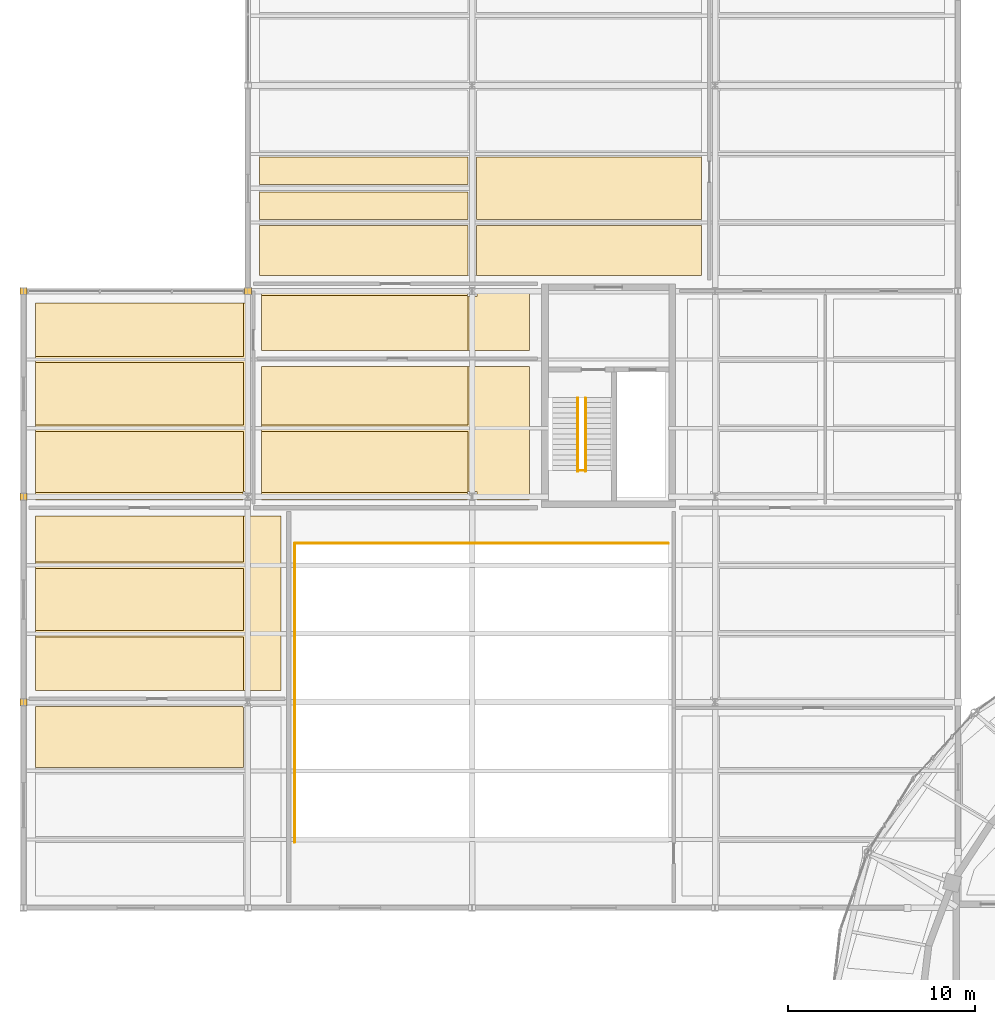
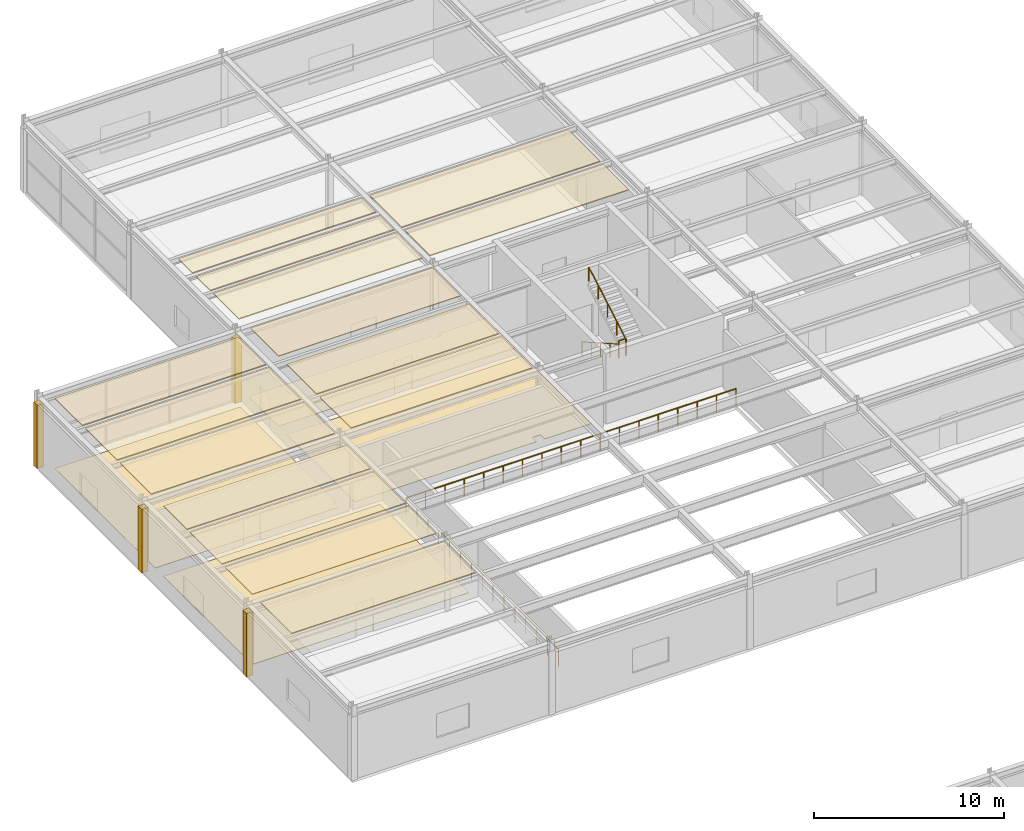
# One storey, part 95 of 100: 23 coverings, 5 railings.
"""IFC4 building model written with IfcOpenShell, lengths in metres."""

from ifc_helpers import new_model, si_unit, direction, frame, origin, origin_2d, place, context, subcontext, project, spatial, polyline, rectangle, circle, outline, extrude, material, layer, layer_set, type_object, element, save


model = new_model("IFC4")

# Units and contexts
model_context = context("Model", 3, precision=1e-05, world=origin(), true_north=direction((0.0, 1.0)))
body_context = subcontext(model_context, "Body", "Model", "MODEL_VIEW")
ifc_project = project(units=[si_unit("LENGTHUNIT", "METRE"), si_unit("AREAUNIT", "SQUARE_METRE"), si_unit("VOLUMEUNIT", "CUBIC_METRE"), si_unit("PLANEANGLEUNIT", "RADIAN"), si_unit("MASSUNIT", "GRAM", prefix="KILO")], contexts=[model_context])

# Site, building, storey
site_placement = place(None, origin())
site = spatial("IfcSite", under=ifc_project, at=site_placement, CompositionType="ELEMENT")
building_placement = place(site_placement, origin())
building = spatial("IfcBuilding", under=site, at=building_placement, Name="Tarnveldt Headland Concert Hall", CompositionType="ELEMENT")
storey_placement = place(building_placement, frame((0.0, 0.0, 4.800048828125)))
storey = spatial("IfcBuildingStorey", under=building, at=storey_placement, Name="L01", CompositionType="ELEMENT", Elevation=4.800048828125)

# Coverings
ifc_material_1 = material(Name="Micro-perforated mvule acoustic ceiling panel", Category="timber")
ifc_layer_1 = layer(ifc_material_1, 0.050048828125, Name="Micro-perforated mvule acoustic ceiling panel", Category="timber")
ifc_layer_set_1 = layer_set([ifc_layer_1], Name="Micro-perforated mvule acoustic ceiling panel")
covering_type_1 = type_object("IfcCoveringType", Name="CV-CEIL50", PredefinedType="CEILING", material=ifc_layer_set_1)
covering_1_placement = place(storey_placement, frame((0.0, 0.0, 4.489990234375)))
element("IfcCovering", 1, at=covering_1_placement, inside=storey, type_object=covering_type_1, Name="Acoustic mvule ceiling L01-23-185", PredefinedType="CEILING", context=body_context, shape_type="SweptSolid", body=[
    extrude(outline(polyline([(19.25, 70.719970703125), (19.27001953125, 70.719970703125), (19.27001953125, 67.498046875), (8.1298828125, 67.498046875), (8.1298828125, 70.77001953125), (19.25, 70.77001953125), (19.25, 70.719970703125)])), origin(), (0.0, 0.0, 1.0), 0.050048828125),
])
covering_2_placement = place(storey_placement, frame((0.0, 0.0, 4.489990234375)))
element("IfcCovering", 2, at=covering_2_placement, inside=storey, type_object=covering_type_1, Name="Acoustic mvule ceiling L01-24-186", PredefinedType="CEILING", context=body_context, shape_type="SweptSolid", body=[
    extrude(outline(polyline([(19.27001953125, 74.83203125), (8.1298828125, 74.83203125), (8.1298828125, 78.16796875), (19.27001953125, 78.16796875), (19.27001953125, 74.83203125)])), origin(), (0.0, 0.0, 1.0), 0.050048828125),
])
covering_3_placement = place(storey_placement, frame((0.0, 0.0, 4.489990234375)))
element("IfcCovering", 3, at=covering_3_placement, inside=storey, type_object=covering_type_1, Name="Acoustic mvule ceiling L01-24-187", PredefinedType="CEILING", context=body_context, shape_type="SweptSolid", body=[
    extrude(outline(polyline([(19.27001953125, 78.498046875), (8.1298828125, 78.498046875), (8.1298828125, 80.969970703125), (19.27001953125, 80.969970703125), (19.27001953125, 78.498046875)])), origin(), (0.0, 0.0, 1.0), 0.050048828125),
])
covering_4_placement = place(storey_placement, frame((0.0, 0.0, 4.489990234375)))
element("IfcCovering", 4, at=covering_4_placement, inside=storey, type_object=covering_type_1, Name="Acoustic mvule ceiling L01-24-188", PredefinedType="CEILING", context=body_context, shape_type="SweptSolid", body=[
    extrude(outline(polyline([(19.27001953125, 71.6298828125), (8.1298828125, 71.6298828125), (8.1298828125, 74.501953125), (19.27001953125, 74.501953125), (19.27001953125, 71.6298828125)])), origin(), (0.0, 0.0, 1.0), 0.050048828125),
])
covering_5_placement = place(storey_placement, frame((0.0, 0.0, 4.489990234375)))
element("IfcCovering", 5, at=covering_5_placement, inside=storey, type_object=covering_type_1, Name="Acoustic mvule ceiling L01-29-200", PredefinedType="CEILING", context=body_context, shape_type="SweptSolid", body=[
    extrude(outline(polyline([(20.22998046875, 92.77001953125), (31.25, 92.77001953125), (31.25, 92.719970703125), (31.27001953125, 92.719970703125), (31.27001953125, 89.830078125), (20.22998046875, 89.830078125), (20.22998046875, 92.77001953125)])), origin(), (0.0, 0.0, 1.0), 0.050048828125),
])
ifc_layer_2 = layer(ifc_material_1, 0.06494140625, Name="Micro-perforated mvule acoustic ceiling panel", Category="timber")
ifc_layer_set_2 = layer_set([ifc_layer_2], Name="Micro-perforated mvule acoustic ceiling panel")
covering_type_2 = type_object("IfcCoveringType", Name="CV-CEIL65", PredefinedType="CEILING", material=ifc_layer_set_2)
covering_6_placement = place(storey_placement, frame((0.0, 0.0, 4.474853515625)))
element("IfcCovering", 6, at=covering_6_placement, inside=storey, type_object=covering_type_2, Name="Acoustic mvule ceiling L01-27-195", PredefinedType="CEILING", context=body_context, shape_type="SweptSolid", body=[
    extrude(outline(polyline([(8.1298828125, 82.22998046875), (8.1298828125, 85.501953125), (19.27001953125, 85.501953125), (19.27001953125, 82.280029296875), (19.25, 82.280029296875), (19.25, 82.22998046875), (8.1298828125, 82.22998046875)])), origin(), (0.0, 0.0, 1.0), 0.065185546875),
])
covering_7_placement = place(storey_placement, frame((0.0, 0.0, 4.474853515625)))
element("IfcCovering", 7, at=covering_7_placement, inside=storey, type_object=covering_type_2, Name="Acoustic mvule ceiling L01-27-196", PredefinedType="CEILING", context=body_context, shape_type="SweptSolid", body=[
    extrude(outline(polyline([(8.1298828125, 89.16796875), (19.27001953125, 89.16796875), (19.27001953125, 85.83203125), (8.1298828125, 85.83203125), (8.1298828125, 89.16796875)])), origin(), (0.0, 0.0, 1.0), 0.065185546875),
])
covering_8_placement = place(storey_placement, frame((0.0, 0.0, 4.474853515625)))
element("IfcCovering", 8, at=covering_8_placement, inside=storey, type_object=covering_type_2, Name="Acoustic mvule ceiling L01-27-197", PredefinedType="CEILING", context=body_context, shape_type="SweptSolid", body=[
    extrude(outline(polyline([(8.1298828125, 92.3701171875), (19.27001953125, 92.3701171875), (19.27001953125, 89.498046875), (8.1298828125, 89.498046875), (8.1298828125, 92.3701171875)])), origin(), (0.0, 0.0, 1.0), 0.065185546875),
])
covering_9_placement = place(storey_placement, frame((0.0, 0.0, 4.474853515625)))
element("IfcCovering", 9, at=covering_9_placement, inside=storey, type_object=covering_type_2, Name="Acoustic mvule ceiling L01-28-198", PredefinedType="CEILING", context=body_context, shape_type="SweptSolid", body=[
    extrude(outline(polyline([(20.22998046875, 82.22998046875), (20.22998046875, 85.501953125), (31.27001953125, 85.501953125), (31.27001953125, 82.280029296875), (31.25, 82.280029296875), (31.25, 82.22998046875), (20.22998046875, 82.22998046875)])), origin(), (0.0, 0.0, 1.0), 0.065185546875),
])
covering_10_placement = place(storey_placement, frame((0.0, 0.0, 4.474853515625)))
element("IfcCovering", 10, at=covering_10_placement, inside=storey, type_object=covering_type_2, Name="Acoustic mvule ceiling L01-28-199", PredefinedType="CEILING", context=body_context, shape_type="SweptSolid", body=[
    extrude(outline(polyline([(31.27001953125, 88.969970703125), (31.27001953125, 85.83203125), (20.22998046875, 85.83203125), (20.22998046875, 88.969970703125), (31.27001953125, 88.969970703125)])), origin(), (0.0, 0.0, 1.0), 0.065185546875),
])
covering_11_placement = place(storey_placement, frame((0.0, 0.0, 4.474853515625)))
element("IfcCovering", 11, at=covering_11_placement, inside=storey, type_object=covering_type_2, Name="Acoustic mvule ceiling L01-32-213", PredefinedType="CEILING", context=body_context, shape_type="SweptSolid", body=[
    extrude(outline(polyline([(31.27001953125, 98.699951171875), (20.1298828125, 98.699951171875), (20.1298828125, 100.16796875), (31.27001953125, 100.16796875), (31.27001953125, 98.699951171875)])), origin(), (0.0, 0.0, 1.0), 0.065185546875),
])
covering_12_placement = place(storey_placement, frame((0.0, 0.0, 4.474853515625)))
element("IfcCovering", 12, at=covering_12_placement, inside=storey, type_object=covering_type_2, Name="Acoustic mvule ceiling L01-32-214", PredefinedType="CEILING", context=body_context, shape_type="SweptSolid", body=[
    extrude(outline(polyline([(20.1298828125, 96.83203125), (20.1298828125, 98.300048828125), (31.27001953125, 98.300048828125), (31.27001953125, 96.83203125), (20.1298828125, 96.83203125)])), origin(), (0.0, 0.0, 1.0), 0.065185546875),
])
covering_13_placement = place(storey_placement, frame((0.0, 0.0, 4.474853515625)))
element("IfcCovering", 13, at=covering_13_placement, inside=storey, type_object=covering_type_2, Name="Acoustic mvule ceiling L01-32-217", PredefinedType="CEILING", context=body_context, shape_type="SweptSolid", body=[
    extrude(outline(polyline([(31.72998046875, 96.83203125), (31.72998046875, 100.16796875), (43.77001953125, 100.16796875), (43.77001953125, 96.83203125), (31.72998046875, 96.83203125)])), origin(), (0.0, 0.0, 1.0), 0.065185546875),
])
covering_14_placement = place(storey_placement, frame((0.0, 0.0, 4.474853515625)))
element("IfcCovering", 14, at=covering_14_placement, inside=storey, type_object=covering_type_2, Name="Acoustic mvule ceiling L01-32-218", PredefinedType="CEILING", context=body_context, shape_type="SweptSolid", body=[
    extrude(outline(polyline([(31.72998046875, 96.501953125), (43.77001953125, 96.501953125), (43.77001953125, 93.830078125), (31.72998046875, 93.830078125), (31.72998046875, 96.501953125)])), origin(), (0.0, 0.0, 1.0), 0.065185546875),
])
covering_15_placement = place(storey_placement, frame((0.0, 0.0, 4.474853515625)))
element("IfcCovering", 15, at=covering_15_placement, inside=storey, type_object=covering_type_2, Name="Acoustic mvule ceiling L01-32-219", PredefinedType="CEILING", context=body_context, shape_type="SweptSolid", body=[
    extrude(outline(polyline([(31.27001953125, 93.830078125), (20.1298828125, 93.830078125), (20.1298828125, 96.501953125), (31.27001953125, 96.501953125), (31.27001953125, 93.830078125)])), origin(), (0.0, 0.0, 1.0), 0.065185546875),
])
ifc_material_2 = material(Name="Treated East African mvule hardwood", Category="wood")
ifc_layer_3 = layer(ifc_material_2, 0.028076171875, Name="Treated East African mvule hardwood", Category="wood")
ifc_layer_set_3 = layer_set([ifc_layer_3], Name="Treated East African mvule hardwood")
covering_type_3 = type_object("IfcCoveringType", Name="CV-FLOR28", PredefinedType="FLOORING", material=ifc_layer_set_3)
covering_16_placement = place(storey_placement, origin())
element("IfcCovering", 16, at=covering_16_placement, inside=storey, type_object=covering_type_3, Name="Architectural flooring L01-27-54", PredefinedType="FLOORING", context=body_context, shape_type="SweptSolid", body=[
    extrude(outline(polyline([(19.3701171875, 92.3701171875), (19.3701171875, 82.280029296875), (19.25, 82.280029296875), (19.25, 81.830078125), (8.1298828125, 81.830078125), (8.1298828125, 92.3701171875), (19.3701171875, 92.3701171875)])), origin(), (0.0, 0.0, 1.0), 0.02783203125),
])
covering_17_placement = place(storey_placement, origin())
element("IfcCovering", 17, at=covering_17_placement, inside=storey, type_object=covering_type_3, Name="Architectural flooring L01-28-55", PredefinedType="FLOORING", context=body_context, shape_type="SweptSolid", body=[
    extrude(outline(polyline([(34.570068359375, 88.969970703125), (34.570068359375, 81.830078125), (31.75, 81.830078125), (31.75, 82.280029296875), (31.25, 82.280029296875), (31.25, 81.830078125), (20.22998046875, 81.830078125), (20.22998046875, 88.969970703125), (34.570068359375, 88.969970703125)])), origin(), (0.0, 0.0, 1.0), 0.02783203125),
])
ifc_material_3 = material(Name="Polished coral-aggregate cementitious terrazzo flooring", Category="concrete")
ifc_layer_4 = layer(ifc_material_3, 0.034912109375, Name="Polished coral-aggregate cementitious terrazzo flooring", Category="concrete")
ifc_layer_set_4 = layer_set([ifc_layer_4], Name="Polished coral-aggregate cementitious terrazzo flooring")
covering_type_4 = type_object("IfcCoveringType", Name="CV-FLOR35", PredefinedType="FLOORING", material=ifc_layer_set_4)
covering_18_placement = place(storey_placement, origin())
element("IfcCovering", 18, at=covering_18_placement, inside=storey, type_object=covering_type_4, Name="Architectural flooring L01-24-51", PredefinedType="FLOORING", context=body_context, shape_type="SweptSolid", body=[
    extrude(outline(polyline([(8.1298828125, 80.969970703125), (21.27001953125, 80.969970703125), (21.27001953125, 71.6298828125), (8.1298828125, 71.6298828125), (8.1298828125, 80.969970703125)])), origin(), (0.0, 0.0, 1.0), 0.034912109375),
])
covering_19_placement = place(storey_placement, origin())
element("IfcCovering", 19, at=covering_19_placement, inside=storey, type_object=covering_type_4, Name="Architectural flooring L01-29-56", PredefinedType="FLOORING", context=body_context, shape_type="SweptSolid", body=[
    extrude(outline(polyline([(31.25, 92.969970703125), (31.25, 92.719970703125), (31.75, 92.719970703125), (31.75, 92.969970703125), (34.570068359375, 92.969970703125), (34.570068359375, 89.830078125), (20.22998046875, 89.830078125), (20.22998046875, 92.969970703125), (31.25, 92.969970703125)])), origin(), (0.0, 0.0, 1.0), 0.034912109375),
])
ifc_material_4 = material(Name="Coral-toned precast concrete C40/50", Category="concrete")
ifc_layer_5 = layer(ifc_material_4, 0.360107421875, Name="Coral-toned precast concrete C40/50", Category="concrete")
ifc_layer_set_5 = layer_set([ifc_layer_5], Name="Coral-toned precast concrete C40/50")
covering_type_5 = type_object("IfcCoveringType", Name="CV-JNT360", PredefinedType="CLADDING", material=ifc_layer_set_5)
for number, where, z_axis, x_axis, name in (
    (20, (7.5, 71.0, 0.0), (0.0, 0.0, 1.0), (0.0, 1.0, 0.0), "Precast facade joint closure pilaster L01-196"),
    (21, (7.5, 82.0, 0.0), (0.0, 0.0, 1.0), (0.0, 1.0, 0.0), "Precast facade joint closure pilaster L01-197"),
    (22, (7.5, 93.0, 0.0), (0.0, 0.0, 1.0), (0.0, 1.0, 0.0), "Precast facade joint closure pilaster L01-198"),
    (23, (19.5, 93.0, 0.0), (0.0, 0.0, 1.0), (0.0, 1.0, 0.0), "Precast facade joint closure pilaster L01-201"),
):
    element("IfcCovering", number, at=place(storey_placement, frame(where, z_axis=z_axis, x_axis=x_axis)), inside=storey, type_object=covering_type_5, Name=name, PredefinedType="CLADDING", context=body_context, shape_type="SweptSolid", body=[
        extrude(rectangle(XDim=0.3798828125, YDim=0.3798828125, at=origin_2d()), origin(), (0.0, 0.0, 1.0), 4.077880859375),
    ])

# Railings
ifc_material_5 = material(Name="Marine stainless steel", Category="steel")
ifc_layer_6 = layer(ifc_material_5, 0.06005859375, Name="Marine stainless steel", Category="steel")
ifc_layer_set_6 = layer_set([ifc_layer_6], Name="Marine stainless steel")
railing_type_1 = type_object("IfcRailingType", Name="RL-GRD110", PredefinedType="GUARDRAIL", material=ifc_layer_set_6)
railing_1_placement = place(storey_placement, frame((37.14990234375, 83.39990234375, 2.39990234375)))
element("IfcRailing", 24, at=railing_1_placement, inside=storey, type_object=railing_type_1, Name="GUARD STR-C6-L01 half-landing well", PredefinedType="GUARDRAIL", context=body_context, shape_type="SweptSolid", body=[
    extrude(circle(Radius=0.02392578125, at=origin_2d()), frame((0.0, 0.0, 1.076171875), z_axis=(1.0, 0.0, 0.0), x_axis=(0.0, 1.0, 0.0)), (0.0, 0.0, 1.0), 0.420166015625),
    extrude(circle(Radius=0.02099609375, at=origin_2d()), origin(), (0.0, 0.0, 1.0), 1.052001953125),
    extrude(circle(Radius=0.02099609375, at=origin_2d()), frame((0.420166015625, 0.0, 0.0)), (0.0, 0.0, 1.0), 1.052001953125),
])
railing_2_placement = place(storey_placement, frame((42.0, 79.5, 0.0)))
element("IfcRailing", 25, at=railing_2_placement, inside=storey, type_object=railing_type_1, Name="GUARD Orchestra rehearsal void guardrail 3", PredefinedType="GUARDRAIL", context=body_context, shape_type="SweptSolid", body=[
    extrude(circle(Radius=0.02392578125, at=origin_2d()), frame((0.0, 0.0, 1.076171875), z_axis=(-1.0, 0.0, 0.0), x_axis=(0.0, -1.0, 0.0)), (0.0, 0.0, 1.0), 20.0),
    extrude(circle(Radius=0.02099609375, at=origin_2d()), origin(), (0.0, 0.0, 1.0), 1.052001953125),
    extrude(circle(Radius=0.02099609375, at=origin_2d()), frame((-1.176513671875, 0.0, 0.0)), (0.0, 0.0, 1.0), 1.052001953125),
    extrude(circle(Radius=0.02099609375, at=origin_2d()), frame((-2.35302734375, 0.0, 0.0)), (0.0, 0.0, 1.0), 1.052001953125),
    extrude(circle(Radius=0.02099609375, at=origin_2d()), frame((-3.529296875, 0.0, 0.0)), (0.0, 0.0, 1.0), 1.052001953125),
    extrude(circle(Radius=0.02099609375, at=origin_2d()), frame((-4.705810546875, 0.0, 0.0)), (0.0, 0.0, 1.0), 1.052001953125),
    extrude(circle(Radius=0.02099609375, at=origin_2d()), frame((-5.88232421875, 0.0, 0.0)), (0.0, 0.0, 1.0), 1.052001953125),
    extrude(circle(Radius=0.02099609375, at=origin_2d()), frame((-7.058837890625, 0.0, 0.0)), (0.0, 0.0, 1.0), 1.052001953125),
    extrude(circle(Radius=0.02099609375, at=origin_2d()), frame((-8.2353515625, 0.0, 0.0)), (0.0, 0.0, 1.0), 1.052001953125),
    extrude(circle(Radius=0.02099609375, at=origin_2d()), frame((-9.411865234375, 0.0, 0.0)), (0.0, 0.0, 1.0), 1.052001953125),
    extrude(circle(Radius=0.02099609375, at=origin_2d()), frame((-10.588134765625, 0.0, 0.0)), (0.0, 0.0, 1.0), 1.052001953125),
    extrude(circle(Radius=0.02099609375, at=origin_2d()), frame((-11.7646484375, 0.0, 0.0)), (0.0, 0.0, 1.0), 1.052001953125),
    extrude(circle(Radius=0.02099609375, at=origin_2d()), frame((-12.941162109375, 0.0, 0.0)), (0.0, 0.0, 1.0), 1.052001953125),
    extrude(circle(Radius=0.02099609375, at=origin_2d()), frame((-14.11767578125, 0.0, 0.0)), (0.0, 0.0, 1.0), 1.052001953125),
    extrude(circle(Radius=0.02099609375, at=origin_2d()), frame((-15.294189453125, 0.0, 0.0)), (0.0, 0.0, 1.0), 1.052001953125),
    extrude(circle(Radius=0.02099609375, at=origin_2d()), frame((-16.470703125, 0.0, 0.0)), (0.0, 0.0, 1.0), 1.052001953125),
    extrude(circle(Radius=0.02099609375, at=origin_2d()), frame((-17.64697265625, 0.0, 0.0)), (0.0, 0.0, 1.0), 1.052001953125),
    extrude(circle(Radius=0.02099609375, at=origin_2d()), frame((-18.823486328125, 0.0, 0.0)), (0.0, 0.0, 1.0), 1.052001953125),
    extrude(circle(Radius=0.02099609375, at=origin_2d()), frame((-20.0, 0.0, 0.0)), (0.0, 0.0, 1.0), 1.052001953125),
])
railing_3_placement = place(storey_placement, frame((22.0, 79.5, 0.0)))
element("IfcRailing", 26, at=railing_3_placement, inside=storey, type_object=railing_type_1, Name="GUARD Orchestra rehearsal void guardrail 4", PredefinedType="GUARDRAIL", context=body_context, shape_type="SweptSolid", body=[
    extrude(circle(Radius=0.02392578125, at=origin_2d()), frame((0.0, 0.0, 1.076171875), z_axis=(0.0, -1.0, 0.0), x_axis=(1.0, 0.0, 0.0)), (0.0, 0.0, 1.0), 16.0),
    extrude(circle(Radius=0.02099609375, at=origin_2d()), origin(), (0.0, 0.0, 1.0), 1.052001953125),
    extrude(circle(Radius=0.02099609375, at=origin_2d()), frame((0.0, -1.142822265625, 0.0)), (0.0, 0.0, 1.0), 1.052001953125),
    extrude(circle(Radius=0.02099609375, at=origin_2d()), frame((0.0, -2.28564453125, 0.0)), (0.0, 0.0, 1.0), 1.052001953125),
    extrude(circle(Radius=0.02099609375, at=origin_2d()), frame((0.0, -3.428466796875, 0.0)), (0.0, 0.0, 1.0), 1.052001953125),
    extrude(circle(Radius=0.02099609375, at=origin_2d()), frame((0.0, -4.571533203125, 0.0)), (0.0, 0.0, 1.0), 1.052001953125),
    extrude(circle(Radius=0.02099609375, at=origin_2d()), frame((0.0, -5.71435546875, 0.0)), (0.0, 0.0, 1.0), 1.052001953125),
    extrude(circle(Radius=0.02099609375, at=origin_2d()), frame((0.0, -6.857177734375, 0.0)), (0.0, 0.0, 1.0), 1.052001953125),
    extrude(circle(Radius=0.02099609375, at=origin_2d()), frame((0.0, -8.0, 0.0)), (0.0, 0.0, 1.0), 1.052001953125),
    extrude(circle(Radius=0.02099609375, at=origin_2d()), frame((0.0, -9.142822265625, 0.0)), (0.0, 0.0, 1.0), 1.052001953125),
    extrude(circle(Radius=0.02099609375, at=origin_2d()), frame((0.0, -10.28564453125, 0.0)), (0.0, 0.0, 1.0), 1.052001953125),
    extrude(circle(Radius=0.02099609375, at=origin_2d()), frame((0.0, -11.428466796875, 0.0)), (0.0, 0.0, 1.0), 1.052001953125),
    extrude(circle(Radius=0.02099609375, at=origin_2d()), frame((0.0, -12.571533203125, 0.0)), (0.0, 0.0, 1.0), 1.052001953125),
    extrude(circle(Radius=0.02099609375, at=origin_2d()), frame((0.0, -13.71435546875, 0.0)), (0.0, 0.0, 1.0), 1.052001953125),
    extrude(circle(Radius=0.02099609375, at=origin_2d()), frame((0.0, -14.857177734375, 0.0)), (0.0, 0.0, 1.0), 1.052001953125),
    extrude(circle(Radius=0.02099609375, at=origin_2d()), frame((0.0, -16.0, 0.0)), (0.0, 0.0, 1.0), 1.052001953125),
])
ifc_layer_7 = layer(ifc_material_5, 0.048095703125, Name="Marine stainless steel", Category="steel")
ifc_layer_set_7 = layer_set([ifc_layer_7], Name="Marine stainless steel")
railing_type_2 = type_object("IfcRailingType", Name="RL-HND092", PredefinedType="HANDRAIL", material=ifc_layer_set_7)
railing_4_placement = place(storey_placement, frame((37.14990234375, 87.280029296875, 0.159912109375)))
element("IfcRailing", 27, at=railing_4_placement, inside=storey, type_object=railing_type_2, Name="HANDRAIL STR-C6-L01 flight 1", PredefinedType="HANDRAIL", context=body_context, shape_type="SweptSolid", body=[
    extrude(circle(Radius=0.02392578125, at=origin_2d()), frame((0.0, 0.0, 0.89599609375), z_axis=(0.0, -0.868239814368, 0.496144761885), x_axis=(1.0, 0.0, 0.0)), (0.0, 0.0, 1.0), 4.514892578125),
    extrude(circle(Radius=0.02099609375, at=origin_2d()), origin(), (0.0, 0.0, 1.0), 0.871826171875),
    extrude(circle(Radius=0.02099609375, at=origin_2d()), frame((0.0, -0.97998046875, 0.56005859375)), (0.0, 0.0, 1.0), 0.871826171875),
    extrude(circle(Radius=0.02099609375, at=origin_2d()), frame((0.0, -1.9599609375, 1.1201171875)), (0.0, 0.0, 1.0), 0.871826171875),
    extrude(circle(Radius=0.02099609375, at=origin_2d()), frame((0.0, -2.93994140625, 1.679931640625)), (0.0, 0.0, 1.0), 0.871826171875),
    extrude(circle(Radius=0.02099609375, at=origin_2d()), frame((0.0, -3.919921875, 2.239990234375)), (0.0, 0.0, 1.0), 0.871826171875),
])
railing_5_placement = place(storey_placement, frame((37.570068359375, 83.360107421875, 2.56005859375)))
element("IfcRailing", 28, at=railing_5_placement, inside=storey, type_object=railing_type_2, Name="HANDRAIL STR-C6-L01 flight 2", PredefinedType="HANDRAIL", context=body_context, shape_type="SweptSolid", body=[
    extrude(circle(Radius=0.02392578125, at=origin_2d()), frame((0.0, 0.0, 0.89599609375), z_axis=(0.0, 0.868239814368, 0.496144761885), x_axis=(-1.0, 0.0, 0.0)), (0.0, 0.0, 1.0), 4.514892578125),
    extrude(circle(Radius=0.02099609375, at=origin_2d()), origin(), (0.0, 0.0, 1.0), 0.871826171875),
    extrude(circle(Radius=0.02099609375, at=origin_2d()), frame((0.0, 0.97998046875, 0.56005859375)), (0.0, 0.0, 1.0), 0.871826171875),
    extrude(circle(Radius=0.02099609375, at=origin_2d()), frame((0.0, 1.9599609375, 1.1201171875)), (0.0, 0.0, 1.0), 0.871826171875),
    extrude(circle(Radius=0.02099609375, at=origin_2d()), frame((0.0, 2.93994140625, 1.679931640625)), (0.0, 0.0, 1.0), 0.871826171875),
    extrude(circle(Radius=0.02099609375, at=origin_2d()), frame((0.0, 3.919921875, 2.239990234375)), (0.0, 0.0, 1.0), 0.871826171875),
])

save(model, "model.ifc")
